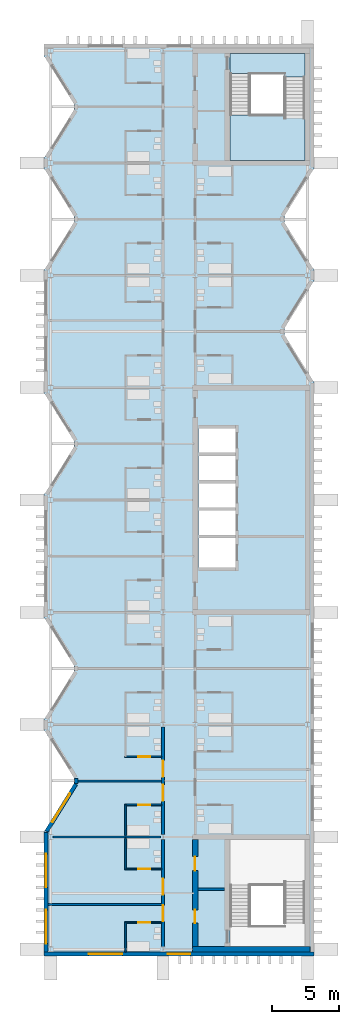
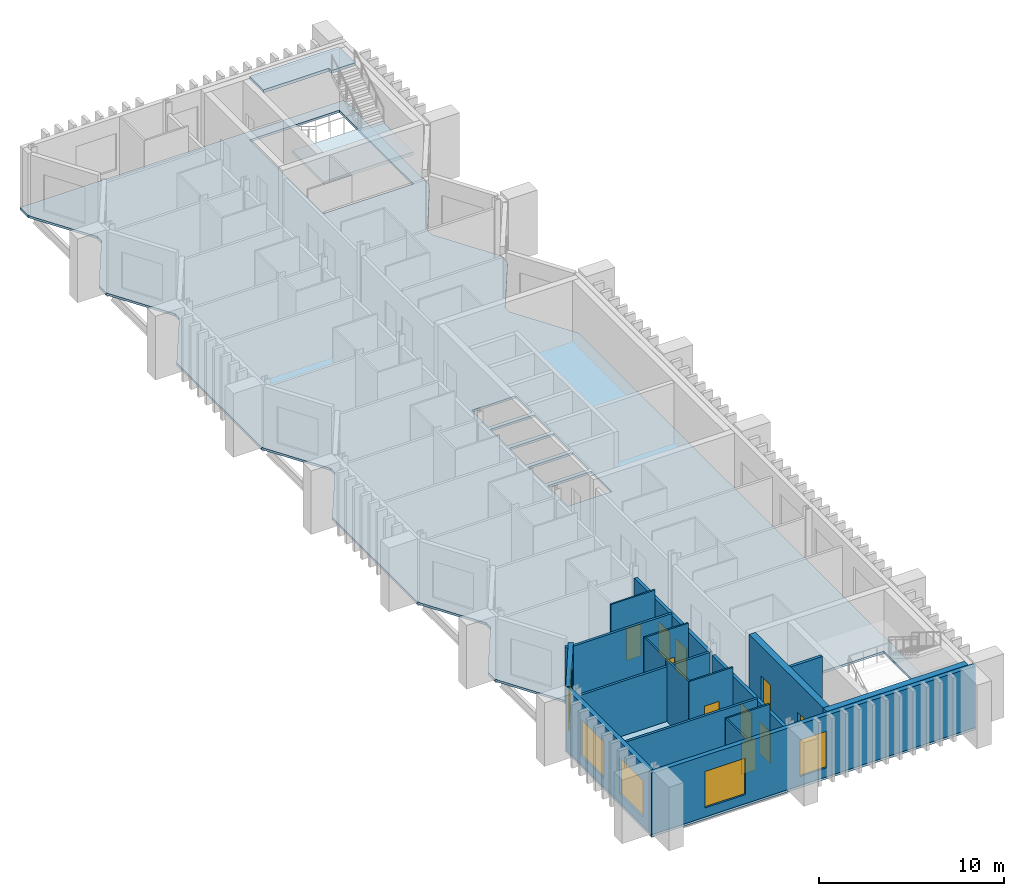
# One storey, part 4 of 11: 19 walls, 10 doors, 5 windows, 3 slabs, 15 openings, 1 element without a shape of its own.
"""IFC4 building model written with IfcOpenShell, lengths in metres."""

from ifc_helpers import new_model, si_unit, direction, frame, frame_2d, origin, place, context, subcontext, project, spatial, polyline, rectangle, outline, extrude, material, layer, layer_set, type_object, element, fill, aggregate, save


model = new_model("IFC4")

# Units and contexts
model_context = context("Model", 3, precision=1e-05, world=origin(), true_north=direction((0.0, 1.0)))
body_context = subcontext(model_context, "Body", "Model", "MODEL_VIEW")
ifc_project = project(units=[si_unit("LENGTHUNIT", "METRE"), si_unit("AREAUNIT", "SQUARE_METRE"), si_unit("VOLUMEUNIT", "CUBIC_METRE"), si_unit("PLANEANGLEUNIT", "RADIAN"), si_unit("MASSUNIT", "GRAM", prefix="KILO")], contexts=[model_context])

# Site, building, storey
site_placement = place(None, origin())
site = spatial("IfcSite", under=ifc_project, at=site_placement, CompositionType="ELEMENT")
building_placement = place(site_placement, origin())
building = spatial("IfcBuilding", under=site, at=building_placement, Name="Cresset Court Congress Hotel", CompositionType="ELEMENT")
storey_placement = place(building_placement, frame((0.0, 0.0, 43.800048828125)))
storey = spatial("IfcBuildingStorey", under=building, at=storey_placement, Name="L10", CompositionType="ELEMENT", Elevation=43.800048828125)

# Slab
ifc_material_1 = material(Name="Concrete C35", Category="concrete")
ifc_layer_1 = layer(ifc_material_1, 0.14990234375)
ifc_layer_set_1 = layer_set([ifc_layer_1], Name="Composite floor slab 150")
slab_type_1 = type_object("IfcSlabType", Name="Composite floor slab 150", PredefinedType="FLOOR", material=ifc_layer_set_1)
slab_1_placement = place(storey_placement, frame((0.0, 0.0, -0.150146484375)))
element("IfcSlab", 1, at=slab_1_placement, inside=storey, type_object=slab_type_1, Name="A.slab.L10", PredefinedType="FLOOR", context=body_context, shape_type="SweptSolid", body=[
    extrude(outline(polyline([(156.699951171875, -0.5), (176.89990234375, -0.5), (176.89990234375, 42.39013671875), (174.665283203125, 45.97509765625), (174.665283203125, 46.425048828125), (176.89990234375, 50.010009765625), (176.89990234375, 50.7900390625), (174.665283203125, 54.375), (174.665283203125, 54.824951171875), (176.89990234375, 58.409912109375), (176.89990234375, 67.699951171875), (156.699951171875, 67.699951171875), (156.699951171875, 66.809814453125), (158.934814453125, 63.22509765625), (158.934814453125, 62.77490234375), (156.699951171875, 59.190185546875), (156.699951171875, 58.409912109375), (158.934814453125, 54.824951171875), (158.934814453125, 54.375), (156.699951171875, 50.7900390625), (156.699951171875, 41.60986328125), (158.934814453125, 38.02490234375), (158.934814453125, 37.574951171875), (156.699951171875, 33.989990234375), (156.699951171875, 24.809814453125), (158.934814453125, 21.22509765625), (158.934814453125, 20.77490234375), (156.699951171875, 17.190185546875), (156.699951171875, 16.409912109375), (158.934814453125, 12.824951171875), (158.934814453125, 12.375), (156.699951171875, 8.7900390625), (156.699951171875, -0.5)]), holes=[polyline([(170.60009765625, 0.199951171875), (176.199951171875, 0.199951171875), (176.199951171875, 8.199951171875), (170.60009765625, 8.199951171875), (170.60009765625, 0.199951171875)]), polyline([(170.60009765625, 59.0), (176.199951171875, 59.0), (176.199951171875, 67.0), (170.60009765625, 67.0), (170.60009765625, 59.0)]), polyline([(168.25, 28.550048828125), (171.0, 28.550048828125), (171.0, 30.75), (168.25, 30.75), (168.25, 28.550048828125)]), polyline([(168.25, 31.0), (171.0, 31.0), (171.0, 32.800048828125), (168.25, 32.800048828125), (168.25, 31.0)]), polyline([(168.25, 33.050048828125), (171.0, 33.050048828125), (171.0, 34.85009765625), (168.25, 34.85009765625), (168.25, 33.050048828125)]), polyline([(168.25, 35.10009765625), (171.0, 35.10009765625), (171.0, 36.89990234375), (168.25, 36.89990234375), (168.25, 35.10009765625)]), polyline([(168.25, 37.14990234375), (171.0, 37.14990234375), (171.0, 38.949951171875), (168.25, 38.949951171875), (168.25, 37.14990234375)])]), origin(), (0.0, 0.0, 1.0), 0.150146484375),
])

# Stair, slabs
ifc_material_2 = material(Name="Concrete C40", Category="concrete")
stair_type = type_object("IfcStairType", Name="Concrete dog-leg stair 5600", PredefinedType="HALF_TURN_STAIR", material=ifc_material_2)
stair_placement = place(storey_placement, origin())
stair = element("IfcStair", 2, at=stair_placement, inside=storey, type_object=stair_type, Name="Stair A2 L10", PredefinedType="HALF_TURN_STAIR")
ifc_material_3 = material(Name="Concrete C40", Category="concrete")
ifc_layer_2 = layer(ifc_material_3, 0.199951171875)
ifc_layer_set_2 = layer_set([ifc_layer_2], Name="Stair landing 200")
slab_type_2 = type_object("IfcSlabType", Name="Stair landing 200", PredefinedType="LANDING", material=ifc_layer_set_2)
slab_2_placement = place(storey_placement, frame((0.0, 0.0, 1.89990234375)))
slab_2 = element("IfcSlab", 3, at=slab_2_placement, type_object=slab_type_2, Name="A-ST1 landing 1", PredefinedType="LANDING", context=body_context, shape_type="SweptSolid", body=[
    extrude(outline(polyline([(170.60009765625, 62.380859375), (176.199951171875, 62.380859375), (176.199951171875, 59.0), (170.60009765625, 59.0), (170.60009765625, 62.380859375)])), origin(), (0.0, 0.0, 1.0), 0.199951171875),
])
slab_3_placement = place(storey_placement, frame((0.0, 0.0, 4.0)))
slab_3 = element("IfcSlab", 4, at=slab_3_placement, type_object=slab_type_2, Name="A-ST1 landing 2", PredefinedType="LANDING", context=body_context, shape_type="SweptSolid", body=[
    extrude(outline(polyline([(170.60009765625, 67.0), (176.199951171875, 67.0), (176.199951171875, 65.2392578125), (174.699951171875, 65.2392578125), (174.699951171875, 65.499267578125), (170.60009765625, 65.499267578125), (170.60009765625, 67.0)])), origin(), (0.0, 0.0, 1.0), 0.199951171875),
])
aggregate(stair, [slab_2, slab_3])

# Wall, openings, doors
ifc_material_4 = material(Name="Gypsum board partition")
ifc_layer_3 = layer(ifc_material_4, 0.199951171875)
ifc_layer_set_3 = layer_set([ifc_layer_3], Name="Corridor wall 200")
wall_type_1 = type_object("IfcWallType", Name="Corridor wall 200", PredefinedType="PARTITIONING", material=ifc_layer_set_3)
wall_1_placement = place(storey_placement, frame((165.60009765625, 0.175048828125, 0.0), z_axis=(0.0, 0.0, 1.0), x_axis=(0.0, 1.0, 0.0)))
wall_1 = element("IfcWall", 5, at=wall_1_placement, inside=storey, type_object=wall_type_1, Name="A.wl.L10.070", PredefinedType="PARTITIONING", context=body_context, shape_type="SweptSolid", body=[
    extrude(rectangle(XDim=8.050048828125, YDim=0.199951171875, at=frame_2d((4.02490234375, 0.0))), origin(), (0.0, 0.0, 1.0), 3.449951171875),
])
opening_1_placement = place(wall_1_placement, frame((1.905029296875, 0.0, 0.0)))
opening_1 = element("IfcOpeningElement", 6, at=opening_1_placement, cuts=wall_1, Name="Opening DA-10-02", PredefinedType="OPENING", context=body_context, shape_type="SweptSolid", body=[
    extrude(rectangle(XDim=1.199951171875, YDim=2.10009765625, at=frame_2d((0.60009765625, 1.050048828125))), frame((0.0, 0.10986328125, 0.0), z_axis=(0.0, -1.0, 0.0), x_axis=(1.0, 0.0, 0.0)), (0.0, 0.0, 1.0), 0.219970703125),
])
opening_2_placement = place(wall_1_placement, frame((3.905029296875, 0.0, 0.0)))
opening_2 = element("IfcOpeningElement", 7, at=opening_2_placement, cuts=wall_1, Name="Opening DA-10-04", PredefinedType="OPENING", context=body_context, shape_type="SweptSolid", body=[
    extrude(rectangle(XDim=1.199951171875, YDim=2.10009765625, at=frame_2d((0.60009765625, 1.050048828125))), frame((0.0, 0.10986328125, 0.0), z_axis=(0.0, -1.0, 0.0), x_axis=(1.0, 0.0, 0.0)), (0.0, 0.0, 1.0), 0.219970703125),
])
ifc_material_5 = material(Name="timber", Category="wood")
door_type_1 = type_object("IfcDoorType", Name="Guest-room entry door 1200x2100 FD30S", OperationType="SINGLE_SWING_LEFT", PredefinedType="DOOR", material=ifc_material_5)
door_1_placement = place(opening_1_placement, origin())
door_1 = element("IfcDoor", 8, at=door_1_placement, inside=storey, type_object=door_type_1, Name="Door DA-10-02", OperationType="SINGLE_SWING_RIGHT", OverallHeight=2.10009765625, OverallWidth=1.199951171875, PredefinedType="DOOR", context=body_context, shape_type="SweptSolid", body=[
    extrude(rectangle(XDim=1.199951171875, YDim=2.10009765625, at=frame_2d((0.60009765625, 1.050048828125))), frame((0.0, 0.02490234375, 0.0), z_axis=(0.0, -1.0, 0.0), x_axis=(1.0, 0.0, 0.0)), (0.0, 0.0, 1.0), 0.050048828125),
])
fill(opening_1, door_1)
door_2_placement = place(opening_2_placement, origin())
door_2 = element("IfcDoor", 9, at=door_2_placement, inside=storey, type_object=door_type_1, Name="Door DA-10-04", OperationType="SINGLE_SWING_LEFT", OverallHeight=2.10009765625, OverallWidth=1.199951171875, PredefinedType="DOOR", context=body_context, shape_type="SweptSolid", body=[
    extrude(rectangle(XDim=1.199951171875, YDim=2.10009765625, at=frame_2d((0.60009765625, 1.050048828125))), frame((0.0, 0.02490234375, 0.0), z_axis=(0.0, -1.0, 0.0), x_axis=(1.0, 0.0, 0.0)), (0.0, 0.0, 1.0), 0.050048828125),
])
fill(opening_2, door_2)

wall_2_placement = place(storey_placement, frame((165.60009765625, 8.574951171875, 0.0), z_axis=(0.0, 0.0, 1.0), x_axis=(0.0, 1.0, 0.0)))
wall_2 = element("IfcWall", 10, at=wall_2_placement, inside=storey, type_object=wall_type_1, Name="A.wl.L10.071", PredefinedType="PARTITIONING", context=body_context, shape_type="SweptSolid", body=[
    extrude(rectangle(XDim=8.050048828125, YDim=0.199951171875, at=frame_2d((4.02490234375, 0.0))), origin(), (0.0, 0.0, 1.0), 3.449951171875),
])
opening_3_placement = place(wall_2_placement, frame((2.52490234375, 0.0, 0.0)))
opening_3 = element("IfcOpeningElement", 11, at=opening_3_placement, cuts=wall_2, Name="Opening DA-10-06", PredefinedType="OPENING", context=body_context, shape_type="SweptSolid", body=[
    extrude(rectangle(XDim=1.199951171875, YDim=2.10009765625, at=frame_2d((0.60009765625, 1.050048828125))), frame((0.0, 0.10986328125, 0.0), z_axis=(0.0, -1.0, 0.0), x_axis=(1.0, 0.0, 0.0)), (0.0, 0.0, 1.0), 0.219970703125),
])
opening_4_placement = place(wall_2_placement, frame((4.324951171875, 0.0, 0.0)))
opening_4 = element("IfcOpeningElement", 12, at=opening_4_placement, cuts=wall_2, Name="Opening DA-10-08", PredefinedType="OPENING", context=body_context, shape_type="SweptSolid", body=[
    extrude(rectangle(XDim=1.199951171875, YDim=2.10009765625, at=frame_2d((0.60009765625, 1.050048828125))), frame((0.0, 0.10986328125, 0.0), z_axis=(0.0, -1.0, 0.0), x_axis=(1.0, 0.0, 0.0)), (0.0, 0.0, 1.0), 0.219970703125),
])
door_3_placement = place(opening_3_placement, origin())
door_3 = element("IfcDoor", 13, at=door_3_placement, inside=storey, type_object=door_type_1, Name="Door DA-10-06", OperationType="SINGLE_SWING_RIGHT", OverallHeight=2.10009765625, OverallWidth=1.199951171875, PredefinedType="DOOR", context=body_context, shape_type="SweptSolid", body=[
    extrude(rectangle(XDim=1.199951171875, YDim=2.10009765625, at=frame_2d((0.60009765625, 1.050048828125))), frame((0.0, 0.02490234375, 0.0), z_axis=(0.0, -1.0, 0.0), x_axis=(1.0, 0.0, 0.0)), (0.0, 0.0, 1.0), 0.050048828125),
])
fill(opening_3, door_3)
door_4_placement = place(opening_4_placement, origin())
door_4 = element("IfcDoor", 14, at=door_4_placement, inside=storey, type_object=door_type_1, Name="Door DA-10-08", OperationType="SINGLE_SWING_LEFT", OverallHeight=2.10009765625, OverallWidth=1.199951171875, PredefinedType="DOOR", context=body_context, shape_type="SweptSolid", body=[
    extrude(rectangle(XDim=1.199951171875, YDim=2.10009765625, at=frame_2d((0.60009765625, 1.050048828125))), frame((0.0, 0.02490234375, 0.0), z_axis=(0.0, -1.0, 0.0), x_axis=(1.0, 0.0, 0.0)), (0.0, 0.0, 1.0), 0.050048828125),
])
fill(opening_4, door_4)

# Wall
ifc_material_6 = material(Name="Gypsum board partition")
ifc_layer_4 = layer(ifc_material_6, 0.10009765625)
ifc_layer_set_4 = layer_set([ifc_layer_4], Name="En-suite wall 100")
wall_type_2 = type_object("IfcWallType", Name="En-suite wall 100", PredefinedType="PARTITIONING", material=ifc_layer_set_4)
wall_3_placement = place(storey_placement, frame((162.800048828125, -0.219970703125, 0.0), z_axis=(0.0, 0.0, 1.0), x_axis=(0.0, 1.0, 0.0)))
element("IfcWall", 15, at=wall_3_placement, inside=storey, type_object=wall_type_2, Name="A.wl.L10.001", PredefinedType="PARTITIONING", context=body_context, shape_type="SweptSolid", body=[
    extrude(rectangle(XDim=2.219970703125, YDim=0.10009765625, at=frame_2d((1.10986328125, 0.0))), origin(), (0.0, 0.0, 1.0), 4.050048828125),
])

# Wall, opening, door
wall_4_placement = place(storey_placement, frame((162.75, 2.0, 0.0), z_axis=(0.0, 0.0, 1.0), x_axis=(1.0, 0.0, 0.0)))
wall_4 = element("IfcWall", 16, at=wall_4_placement, inside=storey, type_object=wall_type_2, Name="A.wl.L10.002", PredefinedType="PARTITIONING", context=body_context, shape_type="SweptSolid", body=[
    extrude(rectangle(XDim=2.75, YDim=0.10009765625, at=frame_2d((1.375, 0.0))), origin(), (0.0, 0.0, 1.0), 4.050048828125),
])
opening_5_placement = place(wall_4_placement, frame((0.97998046875, 0.0, 0.0)))
opening_5 = element("IfcOpeningElement", 17, at=opening_5_placement, cuts=wall_4, Name="Opening DA-10-01", PredefinedType="OPENING", context=body_context, shape_type="SweptSolid", body=[
    extrude(rectangle(XDim=0.89990234375, YDim=2.10009765625, at=frame_2d((0.449951171875, 1.050048828125))), frame((0.0, 0.06005859375, 0.0), z_axis=(0.0, -1.0, 0.0), x_axis=(1.0, 0.0, 0.0)), (0.0, 0.0, 1.0), 0.1201171875),
])
ifc_material_7 = material(Name="timber", Category="wood")
door_type_2 = type_object("IfcDoorType", Name="En-suite door 900x2100", OperationType="SINGLE_SWING_LEFT", PredefinedType="DOOR", material=ifc_material_7)
door_5_placement = place(opening_5_placement, origin())
door_5 = element("IfcDoor", 18, at=door_5_placement, inside=storey, type_object=door_type_2, Name="Door DA-10-01", OperationType="SINGLE_SWING_RIGHT", OverallHeight=2.10009765625, OverallWidth=0.89990234375, PredefinedType="DOOR", context=body_context, shape_type="SweptSolid", body=[
    extrude(rectangle(XDim=0.89990234375, YDim=2.10009765625, at=frame_2d((0.449951171875, 1.050048828125))), frame((0.0, 0.02490234375, 0.0), z_axis=(0.0, -1.0, 0.0), x_axis=(1.0, 0.0, 0.0)), (0.0, 0.0, 1.0), 0.050048828125),
])
fill(opening_5, door_5)

# Wall
wall_5_placement = place(storey_placement, frame((162.800048828125, 6.0, 0.0), z_axis=(0.0, 0.0, 1.0), x_axis=(0.0, 1.0, 0.0)))
element("IfcWall", 19, at=wall_5_placement, inside=storey, type_object=wall_type_2, Name="A.wl.L10.003", PredefinedType="PARTITIONING", context=body_context, shape_type="SweptSolid", body=[
    extrude(rectangle(XDim=2.324951171875, YDim=0.10009765625, at=frame_2d((1.16259765625, 0.0))), origin(), (0.0, 0.0, 1.0), 4.050048828125),
])

# Wall, opening, door
wall_6_placement = place(storey_placement, frame((162.75, 6.0, 0.0), z_axis=(0.0, 0.0, 1.0), x_axis=(1.0, 0.0, 0.0)))
wall_6 = element("IfcWall", 20, at=wall_6_placement, inside=storey, type_object=wall_type_2, Name="A.wl.L10.004", PredefinedType="PARTITIONING", context=body_context, shape_type="SweptSolid", body=[
    extrude(rectangle(XDim=2.75, YDim=0.10009765625, at=frame_2d((1.375, 0.0))), origin(), (0.0, 0.0, 1.0), 4.050048828125),
])
opening_6_placement = place(wall_6_placement, frame((0.97998046875, 0.0, 0.0)))
opening_6 = element("IfcOpeningElement", 21, at=opening_6_placement, cuts=wall_6, Name="Opening DA-10-03", PredefinedType="OPENING", context=body_context, shape_type="SweptSolid", body=[
    extrude(rectangle(XDim=0.89990234375, YDim=2.10009765625, at=frame_2d((0.449951171875, 1.050048828125))), frame((0.0, 0.06005859375, 0.0), z_axis=(0.0, -1.0, 0.0), x_axis=(1.0, 0.0, 0.0)), (0.0, 0.0, 1.0), 0.1201171875),
])
door_6_placement = place(opening_6_placement, origin())
door_6 = element("IfcDoor", 22, at=door_6_placement, inside=storey, type_object=door_type_2, Name="Door DA-10-03", OperationType="SINGLE_SWING_LEFT", OverallHeight=2.10009765625, OverallWidth=0.89990234375, PredefinedType="DOOR", context=body_context, shape_type="SweptSolid", body=[
    extrude(rectangle(XDim=0.89990234375, YDim=2.10009765625, at=frame_2d((0.449951171875, 1.050048828125))), frame((0.0, 0.02490234375, 0.0), z_axis=(0.0, -1.0, 0.0), x_axis=(1.0, 0.0, 0.0)), (0.0, 0.0, 1.0), 0.050048828125),
])
fill(opening_6, door_6)

# Wall
wall_7_placement = place(storey_placement, frame((162.800048828125, 8.47509765625, 0.0), z_axis=(0.0, 0.0, 1.0), x_axis=(0.0, 1.0, 0.0)))
element("IfcWall", 23, at=wall_7_placement, inside=storey, type_object=wall_type_2, Name="A.wl.L10.005", PredefinedType="PARTITIONING", context=body_context, shape_type="SweptSolid", body=[
    extrude(rectangle(XDim=2.324951171875, YDim=0.10009765625, at=frame_2d((1.16259765625, 0.0))), origin(), (0.0, 0.0, 1.0), 4.050048828125),
])

# Wall, opening, door
wall_8_placement = place(storey_placement, frame((162.75, 10.800048828125, 0.0), z_axis=(0.0, 0.0, 1.0), x_axis=(1.0, 0.0, 0.0)))
wall_8 = element("IfcWall", 24, at=wall_8_placement, inside=storey, type_object=wall_type_2, Name="A.wl.L10.006", PredefinedType="PARTITIONING", context=body_context, shape_type="SweptSolid", body=[
    extrude(rectangle(XDim=2.75, YDim=0.10009765625, at=frame_2d((1.375, 0.0))), origin(), (0.0, 0.0, 1.0), 4.050048828125),
])
opening_7_placement = place(wall_8_placement, frame((0.97998046875, 0.0, 0.0)))
opening_7 = element("IfcOpeningElement", 25, at=opening_7_placement, cuts=wall_8, Name="Opening DA-10-05", PredefinedType="OPENING", context=body_context, shape_type="SweptSolid", body=[
    extrude(rectangle(XDim=0.89990234375, YDim=2.10009765625, at=frame_2d((0.449951171875, 1.050048828125))), frame((0.0, 0.06005859375, 0.0), z_axis=(0.0, -1.0, 0.0), x_axis=(1.0, 0.0, 0.0)), (0.0, 0.0, 1.0), 0.1201171875),
])
door_7_placement = place(opening_7_placement, origin())
door_7 = element("IfcDoor", 26, at=door_7_placement, inside=storey, type_object=door_type_2, Name="Door DA-10-05", OperationType="SINGLE_SWING_RIGHT", OverallHeight=2.10009765625, OverallWidth=0.89990234375, PredefinedType="DOOR", context=body_context, shape_type="SweptSolid", body=[
    extrude(rectangle(XDim=0.89990234375, YDim=2.10009765625, at=frame_2d((0.449951171875, 1.050048828125))), frame((0.0, 0.02490234375, 0.0), z_axis=(0.0, -1.0, 0.0), x_axis=(1.0, 0.0, 0.0)), (0.0, 0.0, 1.0), 0.050048828125),
])
fill(opening_7, door_7)

wall_9_placement = place(storey_placement, frame((162.75, 14.39990234375, 0.0), z_axis=(0.0, 0.0, 1.0), x_axis=(1.0, 0.0, 0.0)))
wall_9 = element("IfcWall", 27, at=wall_9_placement, inside=storey, type_object=wall_type_2, Name="A.wl.L10.008", PredefinedType="PARTITIONING", context=body_context, shape_type="SweptSolid", body=[
    extrude(rectangle(XDim=2.75, YDim=0.10009765625, at=frame_2d((1.375, 0.0))), origin(), (0.0, 0.0, 1.0), 4.050048828125),
])
opening_8_placement = place(wall_9_placement, frame((0.97998046875, 0.0, 0.0)))
opening_8 = element("IfcOpeningElement", 28, at=opening_8_placement, cuts=wall_9, Name="Opening DA-10-07", PredefinedType="OPENING", context=body_context, shape_type="SweptSolid", body=[
    extrude(rectangle(XDim=0.89990234375, YDim=2.10009765625, at=frame_2d((0.449951171875, 1.050048828125))), frame((0.0, 0.06005859375, 0.0), z_axis=(0.0, -1.0, 0.0), x_axis=(1.0, 0.0, 0.0)), (0.0, 0.0, 1.0), 0.1201171875),
])
door_8_placement = place(opening_8_placement, origin())
door_8 = element("IfcDoor", 29, at=door_8_placement, inside=storey, type_object=door_type_2, Name="Door DA-10-07", OperationType="SINGLE_SWING_LEFT", OverallHeight=2.10009765625, OverallWidth=0.89990234375, PredefinedType="DOOR", context=body_context, shape_type="SweptSolid", body=[
    extrude(rectangle(XDim=0.89990234375, YDim=2.10009765625, at=frame_2d((0.449951171875, 1.050048828125))), frame((0.0, 0.02490234375, 0.0), z_axis=(0.0, -1.0, 0.0), x_axis=(1.0, 0.0, 0.0)), (0.0, 0.0, 1.0), 0.050048828125),
])
fill(opening_8, door_8)

# Wall, openings, windows
ifc_material_8 = material(Name="Precast concrete C50", Category="concrete")
ifc_layer_5 = layer(ifc_material_8, 0.280029296875)
ifc_layer_set_5 = layer_set([ifc_layer_5], Name="External wall 280")
wall_type_3 = type_object("IfcWallType", Name="External wall 280", PredefinedType="SOLIDWALL", material=ifc_layer_set_5)
wall_10_placement = place(storey_placement, frame((156.840087890625, -0.219970703125, 0.0), z_axis=(0.0, 0.0, 1.0), x_axis=(0.0, 1.0, 0.0)))
wall_10 = element("IfcWall", 30, at=wall_10_placement, inside=storey, type_object=wall_type_3, Name="A.ew.L10.W.1", PredefinedType="SOLIDWALL", context=body_context, shape_type="SweptSolid", body=[
    extrude(rectangle(XDim=8.969970703125, YDim=0.280029296875, at=frame_2d((4.48486328125, 0.0))), origin(), (0.0, 0.0, 1.0), 4.050048828125),
])
opening_9_placement = place(wall_10_placement, frame((0.639892578125, 0.0, 0.60009765625)))
opening_9 = element("IfcOpeningElement", 31, at=opening_9_placement, cuts=wall_10, Name="Opening NA-10-01", PredefinedType="OPENING", context=body_context, shape_type="SweptSolid", body=[
    extrude(rectangle(XDim=2.52001953125, YDim=2.39990234375, at=frame_2d((1.260009765625, 1.199951171875))), frame((0.0, 0.14990234375, 0.0), z_axis=(0.0, -1.0, 0.0), x_axis=(1.0, 0.0, 0.0)), (0.0, 0.0, 1.0), 0.300048828125),
])
opening_10_placement = place(wall_10_placement, frame((4.840087890625, 0.0, 0.60009765625)))
opening_10 = element("IfcOpeningElement", 32, at=opening_10_placement, cuts=wall_10, Name="Opening NA-10-02", PredefinedType="OPENING", context=body_context, shape_type="SweptSolid", body=[
    extrude(rectangle(XDim=2.52001953125, YDim=2.39990234375, at=frame_2d((1.260009765625, 1.199951171875))), frame((0.0, 0.14990234375, 0.0), z_axis=(0.0, -1.0, 0.0), x_axis=(1.0, 0.0, 0.0)), (0.0, 0.0, 1.0), 0.300048828125),
])
ifc_material_9 = material(Name="Aluminium and glass", Category="aluminium")
window_type_1 = type_object("IfcWindowType", Name="Window 2520x2400", PartitioningType="SINGLE_PANEL", PredefinedType="WINDOW", material=ifc_material_9)
window_1_placement = place(opening_9_placement, origin())
window_1 = element("IfcWindow", 33, at=window_1_placement, inside=storey, type_object=window_type_1, Name="Window NA-10-01", OverallHeight=2.39990234375, OverallWidth=2.52001953125, PartitioningType="SINGLE_PANEL", PredefinedType="WINDOW", context=body_context, shape_type="SweptSolid", body=[
    extrude(rectangle(XDim=2.52001953125, YDim=2.39990234375, at=frame_2d((1.260009765625, 1.199951171875))), frame((0.0, 0.030029296875, 0.0), z_axis=(0.0, -1.0, 0.0), x_axis=(1.0, 0.0, 0.0)), (0.0, 0.0, 1.0), 0.06005859375),
])
fill(opening_9, window_1)
window_2_placement = place(opening_10_placement, origin())
window_2 = element("IfcWindow", 34, at=window_2_placement, inside=storey, type_object=window_type_1, Name="Window NA-10-02", OverallHeight=2.39990234375, OverallWidth=2.52001953125, PartitioningType="SINGLE_PANEL", PredefinedType="WINDOW", context=body_context, shape_type="SweptSolid", body=[
    extrude(rectangle(XDim=2.52001953125, YDim=2.39990234375, at=frame_2d((1.260009765625, 1.199951171875))), frame((0.0, 0.030029296875, 0.0), z_axis=(0.0, -1.0, 0.0), x_axis=(1.0, 0.0, 0.0)), (0.0, 0.0, 1.0), 0.06005859375),
])
fill(opening_10, window_2)

# Wall, opening, window
wall_11_placement = place(storey_placement, frame((156.88623046875, 8.82421875, 0.0), z_axis=(0.0, 0.0, 1.0), x_axis=(0.529018946142, 0.848610013271, 0.0)))
wall_11 = element("IfcWall", 35, at=wall_11_placement, inside=storey, type_object=wall_type_3, Name="A.ew.L10.Wn.1.0", PredefinedType="SOLIDWALL", context=body_context, shape_type="SweptSolid", body=[
    extrude(rectangle(XDim=4.144287109375, YDim=0.280029296875, at=frame_2d((2.072265625, 0.0))), origin(), (0.0, 0.0, 1.0), 4.050048828125),
])
opening_11_placement = place(wall_11_placement, frame((0.812255859375, 0.0, 0.60009765625)))
opening_11 = element("IfcOpeningElement", 36, at=opening_11_placement, cuts=wall_11, Name="Opening NA-10-03", PredefinedType="OPENING", context=body_context, shape_type="SweptSolid", body=[
    extrude(rectangle(XDim=2.52001953125, YDim=2.39990234375, at=frame_2d((1.260009765625, 1.199951171875))), frame((0.0, 0.14990234375, 0.0), z_axis=(0.0, -1.0, 0.0), x_axis=(1.0, 0.0, 0.0)), (0.0, 0.0, 1.0), 0.300048828125),
])
window_3_placement = place(opening_11_placement, origin())
window_3 = element("IfcWindow", 37, at=window_3_placement, inside=storey, type_object=window_type_1, Name="Window NA-10-03", OverallHeight=2.39990234375, OverallWidth=2.52001953125, PartitioningType="SINGLE_PANEL", PredefinedType="WINDOW", context=body_context, shape_type="SweptSolid", body=[
    extrude(rectangle(XDim=2.52001953125, YDim=2.39990234375, at=frame_2d((1.260009765625, 1.199951171875))), frame((0.0, 0.030029296875, 0.0), z_axis=(0.0, -1.0, 0.0), x_axis=(1.0, 0.0, 0.0)), (0.0, 0.0, 1.0), 0.06005859375),
])
fill(opening_11, window_3)

# Wall
wall_12_placement = place(storey_placement, frame((159.099609375, 12.4150390625, 0.0), z_axis=(0.0, 0.0, 1.0), x_axis=(0.0, 1.0, 0.0)))
element("IfcWall", 38, at=wall_12_placement, inside=storey, type_object=wall_type_3, Name="A.ew.L10.Wn.1.2", PredefinedType="SOLIDWALL", context=body_context, shape_type="SweptSolid", body=[
    extrude(rectangle(XDim=0.369873046875, YDim=0.280029296875, at=frame_2d((0.18505859375, 0.0))), origin(), (0.0, 0.0, 1.0), 3.60400390625),
])

# Wall, openings, windows
ifc_material_10 = material(Name="Precast concrete C50", Category="concrete")
ifc_layer_6 = layer(ifc_material_10, 0.280029296875)
ifc_layer_set_6 = layer_set([ifc_layer_6], Name="Gable end wall 280")
wall_type_4 = type_object("IfcWallType", Name="Gable end wall 280", PredefinedType="SOLIDWALL", material=ifc_layer_set_6)
wall_13_placement = place(storey_placement, frame((156.699951171875, -0.360107421875, 0.0), z_axis=(0.0, 0.0, 1.0), x_axis=(1.0, 0.0, 0.0)))
wall_13 = element("IfcWall", 39, at=wall_13_placement, inside=storey, type_object=wall_type_4, Name="A.ew.L10.S.1", PredefinedType="SOLIDWALL", context=body_context, shape_type="SweptSolid", body=[
    extrude(rectangle(XDim=20.199951171875, YDim=0.280029296875, at=frame_2d((10.10009765625, 0.0))), origin(), (0.0, 0.0, 1.0), 4.050048828125),
])
opening_12_placement = place(wall_13_placement, frame((9.260009765625, 0.0, 0.60009765625)))
opening_12 = element("IfcOpeningElement", 40, at=opening_12_placement, cuts=wall_13, Name="Opening NA-10-25", PredefinedType="OPENING", context=body_context, shape_type="SweptSolid", body=[
    extrude(rectangle(XDim=1.679931640625, YDim=2.39990234375, at=frame_2d((0.83984375, 1.199951171875))), frame((0.0, 0.14990234375, 0.0), z_axis=(0.0, -1.0, 0.0), x_axis=(1.0, 0.0, 0.0)), (0.0, 0.0, 1.0), 0.300048828125),
])
opening_13_placement = place(wall_13_placement, frame((3.340087890625, 0.0, 0.60009765625)))
opening_13 = element("IfcOpeningElement", 41, at=opening_13_placement, cuts=wall_13, Name="Opening NA-10-26", PredefinedType="OPENING", context=body_context, shape_type="SweptSolid", body=[
    extrude(rectangle(XDim=2.52001953125, YDim=2.39990234375, at=frame_2d((1.260009765625, 1.199951171875))), frame((0.0, 0.14990234375, 0.0), z_axis=(0.0, -1.0, 0.0), x_axis=(1.0, 0.0, 0.0)), (0.0, 0.0, 1.0), 0.300048828125),
])
ifc_material_11 = material(Name="Aluminium and glass", Category="aluminium")
window_type_2 = type_object("IfcWindowType", Name="Window 1680x2400", PartitioningType="SINGLE_PANEL", PredefinedType="WINDOW", material=ifc_material_11)
window_4_placement = place(opening_12_placement, origin())
window_4 = element("IfcWindow", 42, at=window_4_placement, inside=storey, type_object=window_type_2, Name="Window NA-10-25", OverallHeight=2.39990234375, OverallWidth=1.679931640625, PartitioningType="SINGLE_PANEL", PredefinedType="WINDOW", context=body_context, shape_type="SweptSolid", body=[
    extrude(rectangle(XDim=1.679931640625, YDim=2.39990234375, at=frame_2d((0.83984375, 1.199951171875))), frame((0.0, 0.030029296875, 0.0), z_axis=(0.0, -1.0, 0.0), x_axis=(1.0, 0.0, 0.0)), (0.0, 0.0, 1.0), 0.06005859375),
])
fill(opening_12, window_4)
window_5_placement = place(opening_13_placement, origin())
window_5 = element("IfcWindow", 43, at=window_5_placement, inside=storey, type_object=window_type_1, Name="Window NA-10-26", OverallHeight=2.39990234375, OverallWidth=2.52001953125, PartitioningType="SINGLE_PANEL", PredefinedType="WINDOW", context=body_context, shape_type="SweptSolid", body=[
    extrude(rectangle(XDim=2.52001953125, YDim=2.39990234375, at=frame_2d((1.260009765625, 1.199951171875))), frame((0.0, 0.030029296875, 0.0), z_axis=(0.0, -1.0, 0.0), x_axis=(1.0, 0.0, 0.0)), (0.0, 0.0, 1.0), 0.06005859375),
])
fill(opening_13, window_5)

# Walls
ifc_material_12 = material(Name="Gypsum board partition")
ifc_layer_7 = layer(ifc_material_12, 0.14990234375)
ifc_layer_set_7 = layer_set([ifc_layer_7], Name="Guest-room partition 150")
wall_type_5 = type_object("IfcWallType", Name="Guest-room partition 150", PredefinedType="PARTITIONING", material=ifc_layer_set_7)
wall_14_placement = place(storey_placement, frame((157.375, 8.39990234375, 0.0), z_axis=(0.0, 0.0, 1.0), x_axis=(1.0, 0.0, 0.0)))
element("IfcWall", 44, at=wall_14_placement, inside=storey, type_object=wall_type_5, Name="A.wl.L10.049", PredefinedType="PARTITIONING", context=body_context, shape_type="SweptSolid", body=[
    extrude(rectangle(XDim=8.050048828125, YDim=0.14990234375, at=frame_2d((4.02490234375, 0.0))), origin(), (0.0, 0.0, 1.0), 3.60400390625),
])
wall_15_placement = place(storey_placement, frame((156.97998046875, 3.360107421875, 0.0), z_axis=(0.0, 0.0, 1.0), x_axis=(1.0, 0.0, 0.0)))
element("IfcWall", 45, at=wall_15_placement, inside=storey, type_object=wall_type_5, Name="A.wl.L10.058", PredefinedType="PARTITIONING", context=body_context, shape_type="SweptSolid", body=[
    extrude(rectangle(XDim=8.52001953125, YDim=0.14990234375, at=frame_2d((4.260009765625, 0.0))), origin(), (0.0, 0.0, 1.0), 3.60400390625),
])
wall_16_placement = place(storey_placement, frame((159.23974609375, 12.60009765625, 0.0), z_axis=(0.0, 0.0, 1.0), x_axis=(1.0, 0.0, 0.0)))
element("IfcWall", 46, at=wall_16_placement, inside=storey, type_object=wall_type_5, Name="A.wl.L10.059", PredefinedType="PARTITIONING", context=body_context, shape_type="SweptSolid", body=[
    extrude(rectangle(XDim=6.26025390625, YDim=0.14990234375, at=frame_2d((3.130126953125, 0.0))), origin(), (0.0, 0.0, 1.0), 3.60400390625),
])
ifc_material_13 = material(Name="Concrete block wall", Category="concrete")
ifc_layer_8 = layer(ifc_material_13, 0.175048828125)
ifc_layer_set_8 = layer_set([ifc_layer_8], Name="Riser shaft wall 175")
wall_type_6 = type_object("IfcWallType", Name="Riser shaft wall 175", PredefinedType="PARTITIONING", material=ifc_layer_set_8)
wall_17_placement = place(storey_placement, frame((168.199951171875, 4.5, 0.0), z_axis=(0.0, 0.0, 1.0), x_axis=(1.0, 0.0, 0.0)))
element("IfcWall", 47, at=wall_17_placement, inside=storey, type_object=wall_type_6, Name="A.wl.L10.083", PredefinedType="PARTITIONING", context=body_context, shape_type="SweptSolid", body=[
    extrude(rectangle(XDim=2.0, YDim=0.175048828125, at=frame_2d((1.0, 0.0))), origin(), (0.0, 0.0, 1.0), 4.050048828125),
])
ifc_material_14 = material(Name="Concrete C50", Category="concrete")
ifc_layer_9 = layer(ifc_material_14, 0.39990234375)
ifc_layer_set_9 = layer_set([ifc_layer_9], Name="Stair core wall 400")
wall_type_7 = type_object("IfcWallType", Name="Stair core wall 400", PredefinedType="SOLIDWALL", material=ifc_layer_set_9)
wall_18_placement = place(storey_placement, frame((167.800048828125, 0.0, 0.0), z_axis=(0.0, 0.0, 1.0), x_axis=(1.0, 0.0, 0.0)))
element("IfcWall", 48, at=wall_18_placement, inside=storey, type_object=wall_type_7, Name="A.cw.ST-A1.L10.S", PredefinedType="SOLIDWALL", context=body_context, shape_type="SweptSolid", body=[
    extrude(rectangle(XDim=8.800048828125, YDim=0.39990234375, at=frame_2d((4.39990234375, 0.0))), origin(), (0.0, 0.0, 1.0), 4.050048828125),
])

# Wall, openings, doors
wall_19_placement = place(storey_placement, frame((168.0, 0.199951171875, 0.0), z_axis=(0.0, 0.0, 1.0), x_axis=(0.0, 1.0, 0.0)))
wall_19 = element("IfcWall", 49, at=wall_19_placement, inside=storey, type_object=wall_type_7, Name="A.cw.ST-A1.L10.W", PredefinedType="SOLIDWALL", context=body_context, shape_type="SweptSolid", body=[
    extrude(rectangle(XDim=8.0, YDim=0.39990234375, at=frame_2d((4.0, 0.0))), origin(), (0.0, 0.0, 1.0), 4.050048828125),
])
opening_14_placement = place(wall_19_placement, frame((1.75, 0.0, 0.0)))
opening_14 = element("IfcOpeningElement", 50, at=opening_14_placement, cuts=wall_19, Name="Opening DA-10-50", PredefinedType="OPENING", context=body_context, shape_type="SweptSolid", body=[
    extrude(rectangle(XDim=1.0, YDim=2.10009765625, at=frame_2d((0.5, 1.050048828125))), frame((0.0, 0.2099609375, 0.0), z_axis=(0.0, -1.0, 0.0), x_axis=(1.0, 0.0, 0.0)), (0.0, 0.0, 1.0), 0.419921875),
])
opening_15_placement = place(wall_19_placement, frame((5.675048828125, 0.0, 0.0)))
opening_15 = element("IfcOpeningElement", 51, at=opening_15_placement, cuts=wall_19, Name="Opening DA-10-51", PredefinedType="OPENING", context=body_context, shape_type="SweptSolid", body=[
    extrude(rectangle(XDim=1.050048828125, YDim=2.10009765625, at=frame_2d((0.52490234375, 1.050048828125))), frame((0.0, 0.2099609375, 0.0), z_axis=(0.0, -1.0, 0.0), x_axis=(1.0, 0.0, 0.0)), (0.0, 0.0, 1.0), 0.419921875),
])
ifc_material_15 = material(Name="steel", Category="steel")
door_type_3 = type_object("IfcDoorType", Name="Housekeeping room door 1050x2100 FD30", OperationType="SINGLE_SWING_LEFT", PredefinedType="DOOR", material=ifc_material_15)
door_9_placement = place(opening_15_placement, origin())
door_9 = element("IfcDoor", 52, at=door_9_placement, inside=storey, type_object=door_type_3, Name="Door DA-10-51", OperationType="SINGLE_SWING_LEFT", OverallHeight=2.10009765625, OverallWidth=1.050048828125, PredefinedType="DOOR", context=body_context, shape_type="SweptSolid", body=[
    extrude(rectangle(XDim=1.050048828125, YDim=2.10009765625, at=frame_2d((0.52490234375, 1.050048828125))), frame((0.0, 0.02490234375, 0.0), z_axis=(0.0, -1.0, 0.0), x_axis=(1.0, 0.0, 0.0)), (0.0, 0.0, 1.0), 0.050048828125),
])
fill(opening_15, door_9)
ifc_material_16 = material(Name="steel", Category="steel")
door_type_4 = type_object("IfcDoorType", Name="Lobby door 1000x2100 FD60", OperationType="SINGLE_SWING_LEFT", PredefinedType="DOOR", material=ifc_material_16)
door_10_placement = place(opening_14_placement, origin())
door_10 = element("IfcDoor", 53, at=door_10_placement, inside=storey, type_object=door_type_4, Name="Door DA-10-50", OperationType="SINGLE_SWING_RIGHT", OverallHeight=2.10009765625, OverallWidth=1.0, PredefinedType="DOOR", context=body_context, shape_type="SweptSolid", body=[
    extrude(rectangle(XDim=1.0, YDim=2.10009765625, at=frame_2d((0.5, 1.050048828125))), frame((0.0, 0.02490234375, 0.0), z_axis=(0.0, -1.0, 0.0), x_axis=(1.0, 0.0, 0.0)), (0.0, 0.0, 1.0), 0.050048828125),
])
fill(opening_14, door_10)

save(model, "model.ifc")
